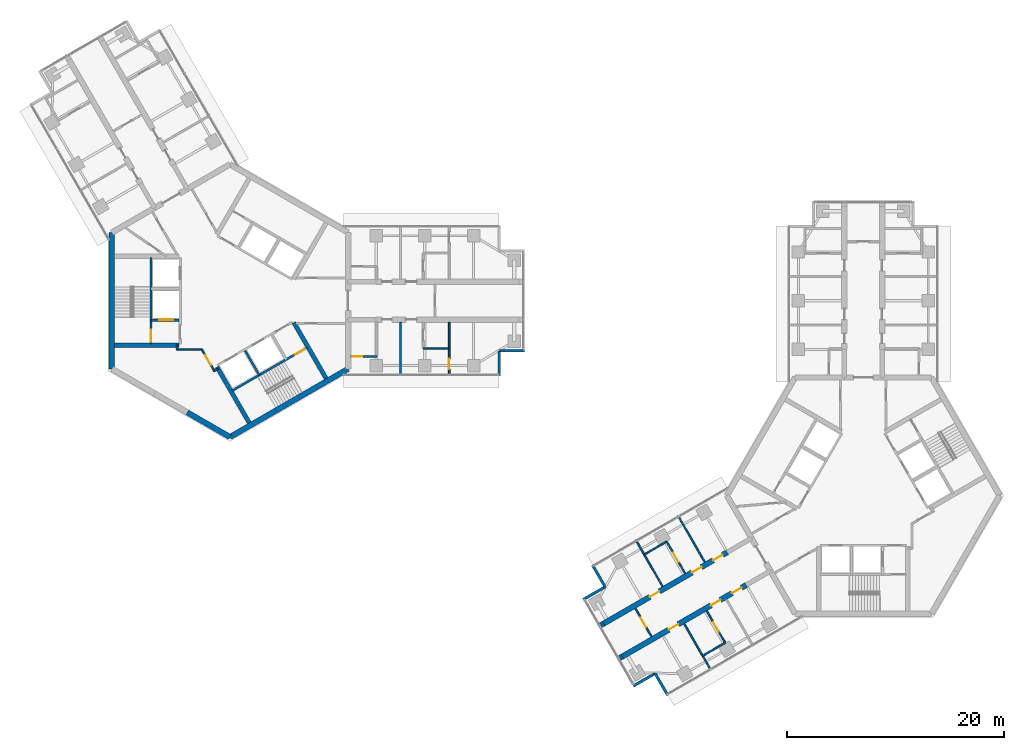
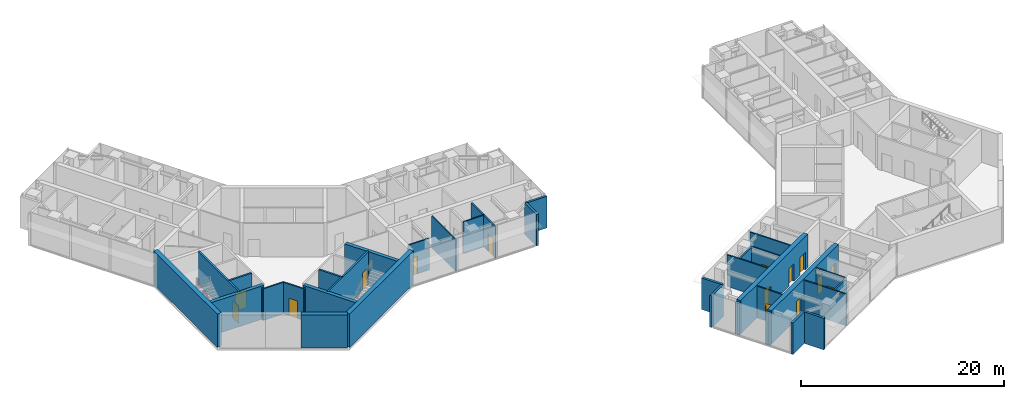
# One storey, part 11 of 17: 36 walls, 15 doors, 15 openings.
"""IFC4 building model written with IfcOpenShell, lengths in metres."""

from ifc_helpers import new_model, si_unit, direction, frame, frame_2d, origin, place, context, subcontext, project, spatial, rectangle, extrude, material, layer, layer_set, type_object, element, fill, save


model = new_model("IFC4")

# Units and contexts
model_context = context("Model", 3, precision=1e-05, world=origin(), true_north=direction((0.0, 1.0)))
body_context = subcontext(model_context, "Body", "Model", "MODEL_VIEW")
ifc_project = project(units=[si_unit("LENGTHUNIT", "METRE"), si_unit("AREAUNIT", "SQUARE_METRE"), si_unit("VOLUMEUNIT", "CUBIC_METRE"), si_unit("PLANEANGLEUNIT", "RADIAN"), si_unit("MASSUNIT", "GRAM", prefix="KILO")], contexts=[model_context])

# Site, building, storey
site_placement = place(None, origin())
site = spatial("IfcSite", under=ifc_project, at=site_placement, CompositionType="ELEMENT")
building_placement = place(site_placement, origin())
building = spatial("IfcBuilding", under=site, at=building_placement, Name="Upepo Twin Towers", CompositionType="ELEMENT")
storey_placement = place(building_placement, frame((0.0, 0.0, 210.5)))
storey = spatial("IfcBuildingStorey", under=building, at=storey_placement, Name="L51", CompositionType="ELEMENT", Elevation=210.5)

# Walls
ifc_material_1 = material(Name="Dense concrete blockwork", Category="masonry")
ifc_layer_1 = layer(ifc_material_1, 0.5)
ifc_layer_set_1 = layer_set([ifc_layer_1], Name="Buttress closer 500, blockwork with fire-stopping to the curtain wall")
wall_type_1 = type_object("IfcWallType", Name="Buttress closer 500, blockwork with fire-stopping to the curtain wall", PredefinedType="PARTITIONING", material=ifc_layer_set_1)
for number, where, z_axis, x_axis, name in (
    (1, (36.252197265625, -32.865478515625, 0.0), (0.0, 0.0, 1.0), (-0.86598763626, -0.500065409566, 0.0), "T2 L51 wing B buttress closer L"),
    (2, (34.502197265625, -29.83447265625, 0.0), (0.0, 0.0, 1.0), (-0.86598763626, -0.500065409566, 0.0), "T2 L51 wing B buttress closer R"),
):
    element("IfcWall", number, at=place(storey_placement, frame(where, z_axis=z_axis, x_axis=x_axis)), inside=storey, type_object=wall_type_1, Name=name, PredefinedType="PARTITIONING", context=body_context, shape_type="SweptSolid", body=[
        extrude(rectangle(XDim=0.28759765625, YDim=0.5, at=frame_2d((0.143798828125, 0.0))), origin(), (0.0, 0.0, 1.0), 3.800048828125),
    ])

# Wall, openings, doors
ifc_material_2 = material(Name="Concrete C60/75", Category="concrete")
ifc_layer_2 = layer(ifc_material_2, 0.5)
ifc_layer_set_2 = layer_set([ifc_layer_2], Name="Concrete C60/75")
wall_type_2 = type_object("IfcWallType", Name="Buttress wall 500 RC", PredefinedType="SHEAR", material=ifc_layer_set_2)
wall_1_placement = place(storey_placement, frame((47.68359375, -26.265625, 0.0), z_axis=(0.0, 0.0, 1.0), x_axis=(-0.866027579429, -0.499996231654, 0.0)))
wall_1 = element("IfcWall", 3, at=wall_1_placement, inside=storey, type_object=wall_type_2, Name="T2 wing B buttress wall L part 2", PredefinedType="SHEAR", context=body_context, shape_type="SweptSolid", body=[
    extrude(rectangle(XDim=13.19970703125, YDim=0.5, at=frame_2d((6.599853515625, 0.0))), origin(), (0.0, 0.0, 1.0), 4.0),
])
opening_1_placement = place(wall_1_placement, frame((0.5, 0.0, 0.0)))
opening_1 = element("IfcOpeningElement", 4, at=opening_1_placement, cuts=wall_1, Name="Opening D1", PredefinedType="OPENING", context=body_context, shape_type="SweptSolid", body=[
    extrude(rectangle(XDim=1.0, YDim=2.10009765625, at=frame_2d((0.5, 1.050048828125))), frame((0.0, 0.260009765625, 0.0), z_axis=(0.0, -1.0, 0.0), x_axis=(1.0, 0.0, 0.0)), (0.0, 0.0, 1.0), 0.52001953125),
])
opening_2_placement = place(wall_1_placement, frame((2.75, 0.0, 0.0)))
opening_2 = element("IfcOpeningElement", 5, at=opening_2_placement, cuts=wall_1, Name="Opening D1", PredefinedType="OPENING", context=body_context, shape_type="SweptSolid", body=[
    extrude(rectangle(XDim=1.0, YDim=2.10009765625, at=frame_2d((0.5, 1.050048828125))), frame((0.0, 0.260009765625, 0.0), z_axis=(0.0, -1.0, 0.0), x_axis=(1.0, 0.0, 0.0)), (0.0, 0.0, 1.0), 0.52001953125),
])
opening_3_placement = place(wall_1_placement, frame((7.25, 0.0, 0.0)))
opening_3 = element("IfcOpeningElement", 6, at=opening_3_placement, cuts=wall_1, Name="Opening D1", PredefinedType="OPENING", context=body_context, shape_type="SweptSolid", body=[
    extrude(rectangle(XDim=1.0, YDim=2.10009765625, at=frame_2d((0.5, 1.050048828125))), frame((0.0, 0.260009765625, 0.0), z_axis=(0.0, -1.0, 0.0), x_axis=(1.0, 0.0, 0.0)), (0.0, 0.0, 1.0), 0.52001953125),
])
ifc_material_3 = material(Name="Timber doorset", Category="wood")
door_type_1 = type_object("IfcDoorType", Name="Room door 1000 FD30", OperationType="SINGLE_SWING_LEFT", PredefinedType="DOOR", material=ifc_material_3)
door_1_placement = place(opening_1_placement, origin())
door_1 = element("IfcDoor", 7, at=door_1_placement, inside=storey, type_object=door_type_1, Name="T2 L51 tutorial room door", OperationType="SINGLE_SWING_LEFT", OverallHeight=2.10009765625, OverallWidth=1.0, PredefinedType="DOOR", context=body_context, shape_type="SweptSolid", body=[
    extrude(rectangle(XDim=1.0, YDim=2.10009765625, at=frame_2d((0.5, 1.050048828125))), frame((0.0, 0.02490234375, 0.0), z_axis=(0.0, -1.0, 0.0), x_axis=(1.0, 0.0, 0.0)), (0.0, 0.0, 1.0), 0.050048828125),
])
fill(opening_1, door_1)
door_2_placement = place(opening_2_placement, origin())
door_2 = element("IfcDoor", 8, at=door_2_placement, inside=storey, type_object=door_type_1, Name="T2 L51 staff office door", OperationType="SINGLE_SWING_LEFT", OverallHeight=2.10009765625, OverallWidth=1.0, PredefinedType="DOOR", context=body_context, shape_type="SweptSolid", body=[
    extrude(rectangle(XDim=1.0, YDim=2.10009765625, at=frame_2d((0.5, 1.050048828125))), frame((0.0, 0.02490234375, 0.0), z_axis=(0.0, -1.0, 0.0), x_axis=(1.0, 0.0, 0.0)), (0.0, 0.0, 1.0), 0.050048828125),
])
fill(opening_2, door_2)
door_3_placement = place(opening_3_placement, origin())
door_3 = element("IfcDoor", 9, at=door_3_placement, inside=storey, type_object=door_type_1, Name="T2 L51 seminar room door", OperationType="SINGLE_SWING_RIGHT", OverallHeight=2.10009765625, OverallWidth=1.0, PredefinedType="DOOR", context=body_context, shape_type="SweptSolid", body=[
    extrude(rectangle(XDim=1.0, YDim=2.10009765625, at=frame_2d((0.5, 1.050048828125))), frame((0.0, 0.02490234375, 0.0), z_axis=(0.0, -1.0, 0.0), x_axis=(1.0, 0.0, 0.0)), (0.0, 0.0, 1.0), 0.050048828125),
])
fill(opening_3, door_3)

wall_2_placement = place(storey_placement, frame((45.93359375, -23.234375, 0.0), z_axis=(0.0, 0.0, 1.0), x_axis=(-0.866019570528, -0.500010103361, 0.0)))
wall_2 = element("IfcWall", 10, at=wall_2_placement, inside=storey, type_object=wall_type_2, Name="T2 wing B buttress wall R part 2", PredefinedType="SHEAR", context=body_context, shape_type="SweptSolid", body=[
    extrude(rectangle(XDim=13.199951171875, YDim=0.5, at=frame_2d((6.60009765625, 0.0))), origin(), (0.0, 0.0, 1.0), 4.0),
])
opening_4_placement = place(wall_2_placement, frame((0.5, 0.0, 0.0)))
opening_4 = element("IfcOpeningElement", 11, at=opening_4_placement, cuts=wall_2, Name="Opening D1", PredefinedType="OPENING", context=body_context, shape_type="SweptSolid", body=[
    extrude(rectangle(XDim=1.0, YDim=2.10009765625, at=frame_2d((0.5, 1.050048828125))), frame((0.0, 0.260009765625, 0.0), z_axis=(0.0, -1.0, 0.0), x_axis=(1.0, 0.0, 0.0)), (0.0, 0.0, 1.0), 0.52001953125),
])
opening_5_placement = place(wall_2_placement, frame((2.75, 0.0, 0.0)))
opening_5 = element("IfcOpeningElement", 12, at=opening_5_placement, cuts=wall_2, Name="Opening D1", PredefinedType="OPENING", context=body_context, shape_type="SweptSolid", body=[
    extrude(rectangle(XDim=1.0, YDim=2.10009765625, at=frame_2d((0.5, 1.050048828125))), frame((0.0, 0.260009765625, 0.0), z_axis=(0.0, -1.0, 0.0), x_axis=(1.0, 0.0, 0.0)), (0.0, 0.0, 1.0), 0.52001953125),
])
opening_6_placement = place(wall_2_placement, frame((7.25, 0.0, 0.0)))
opening_6 = element("IfcOpeningElement", 13, at=opening_6_placement, cuts=wall_2, Name="Opening D1", PredefinedType="OPENING", context=body_context, shape_type="SweptSolid", body=[
    extrude(rectangle(XDim=1.0, YDim=2.10009765625, at=frame_2d((0.5, 1.050048828125))), frame((0.0, 0.260009765625, 0.0), z_axis=(0.0, -1.0, 0.0), x_axis=(1.0, 0.0, 0.0)), (0.0, 0.0, 1.0), 0.52001953125),
])
door_4_placement = place(opening_4_placement, origin())
door_4 = element("IfcDoor", 14, at=door_4_placement, inside=storey, type_object=door_type_1, Name="T2 L51 tutorial room door", OperationType="SINGLE_SWING_LEFT", OverallHeight=2.10009765625, OverallWidth=1.0, PredefinedType="DOOR", context=body_context, shape_type="SweptSolid", body=[
    extrude(rectangle(XDim=1.0, YDim=2.10009765625, at=frame_2d((0.5, 1.050048828125))), frame((0.0, 0.02490234375, 0.0), z_axis=(0.0, -1.0, 0.0), x_axis=(1.0, 0.0, 0.0)), (0.0, 0.0, 1.0), 0.050048828125),
])
fill(opening_4, door_4)
door_5_placement = place(opening_5_placement, origin())
door_5 = element("IfcDoor", 15, at=door_5_placement, inside=storey, type_object=door_type_1, Name="T2 L51 tutorial room door", OperationType="SINGLE_SWING_LEFT", OverallHeight=2.10009765625, OverallWidth=1.0, PredefinedType="DOOR", context=body_context, shape_type="SweptSolid", body=[
    extrude(rectangle(XDim=1.0, YDim=2.10009765625, at=frame_2d((0.5, 1.050048828125))), frame((0.0, 0.02490234375, 0.0), z_axis=(0.0, -1.0, 0.0), x_axis=(1.0, 0.0, 0.0)), (0.0, 0.0, 1.0), 0.050048828125),
])
fill(opening_5, door_5)
door_6_placement = place(opening_6_placement, origin())
door_6 = element("IfcDoor", 16, at=door_6_placement, inside=storey, type_object=door_type_1, Name="T2 L51 staff office door", OperationType="SINGLE_SWING_RIGHT", OverallHeight=2.10009765625, OverallWidth=1.0, PredefinedType="DOOR", context=body_context, shape_type="SweptSolid", body=[
    extrude(rectangle(XDim=1.0, YDim=2.10009765625, at=frame_2d((0.5, 1.050048828125))), frame((0.0, 0.02490234375, 0.0), z_axis=(0.0, -1.0, 0.0), x_axis=(1.0, 0.0, 0.0)), (0.0, 0.0, 1.0), 0.050048828125),
])
fill(opening_6, door_6)

# Walls
ifc_material_4 = material(Name="Concrete C60/75", Category="concrete")
ifc_layer_3 = layer(ifc_material_4, 0.5)
ifc_layer_set_3 = layer_set([ifc_layer_3], Name="Concrete C60/75")
wall_type_3 = type_object("IfcWallType", Name="Core wall 500 RC", PredefinedType="SHEAR", material=ifc_layer_set_3)
wall_3_placement = place(storey_placement, frame((-10.908447265625, 6.2978515625, 0.0), z_axis=(0.0, 0.0, 1.0), x_axis=(0.0, -1.0, 0.0)))
element("IfcWall", 17, at=wall_3_placement, inside=storey, type_object=wall_type_3, Name="T1 core wall 180", PredefinedType="SHEAR", context=body_context, shape_type="SweptSolid", body=[
    extrude(rectangle(XDim=12.595703125, YDim=0.5, at=frame_2d((6.2978515625, 0.0))), origin(), (0.0, 0.0, 1.0), 4.0),
])
wall_4_placement = place(storey_placement, frame((-3.938720703125, -10.32177734375, 0.0), z_axis=(0.0, 0.0, 1.0), x_axis=(0.866011268655, -0.500024481964, 0.0)))
element("IfcWall", 18, at=wall_4_placement, inside=storey, type_object=wall_type_3, Name="T1 core wall 240 L", PredefinedType="SHEAR", context=body_context, shape_type="SweptSolid", body=[
    extrude(rectangle(XDim=4.548095703125, YDim=0.5, at=frame_2d((2.27392578125, 0.0))), origin(), (0.0, 0.0, 1.0), 4.0),
])
wall_5_placement = place(storey_placement, frame((0.0, -12.595947265625, 0.0), z_axis=(0.0, 0.0, 1.0), x_axis=(0.866021940709, 0.500005998175, 0.0)))
element("IfcWall", 19, at=wall_5_placement, inside=storey, type_object=wall_type_3, Name="T1 core wall 300", PredefinedType="SHEAR", context=body_context, shape_type="SweptSolid", body=[
    extrude(rectangle(XDim=12.595947265625, YDim=0.5, at=frame_2d((6.2978515625, 0.0))), origin(), (0.0, 0.0, 1.0), 4.0),
])
ifc_material_5 = material(Name="Blockwork with anodised aluminium cladding", Category="masonry")
ifc_layer_4 = layer(ifc_material_5, 0.25)
ifc_layer_set_4 = layer_set([ifc_layer_4], Name="Notch cladding wall 250, pale metal")
wall_type_4 = type_object("IfcWallType", Name="Notch cladding wall 250, pale metal", PredefinedType="STANDARD", material=ifc_layer_set_4)
for number, where, z_axis, x_axis, name in (
    (20, (24.875, -6.949951171875, 0.0), (0.0, 0.0, 1.0), (0.0, 1.0, 0.0), "T1 L51 wing A notch wall R1"),
    (21, (24.875, -4.625, 0.0), (0.0, 0.0, 1.0), (1.0, 0.0, 0.0), "T1 L51 wing A notch wall R2"),
    (22, (40.4326171875, -36.456298828125, 0.0), (0.0, 0.0, 1.0), (-0.500046648681, 0.865998469481, 0.0), "T2 L51 wing B notch wall L1"),
    (23, (39.27001953125, -34.44287109375, 0.0), (0.0, 0.0, 1.0), (-0.865998469481, -0.500046648681, 0.0), "T2 L51 wing B notch wall L2"),
    (24, (33.482666015625, -24.418701171875, 0.0), (0.0, 0.0, 1.0), (0.499967891604, -0.866043940782, 0.0), "T2 L51 wing B notch wall R1"),
    (25, (34.64501953125, -26.43212890625, 0.0), (0.0, 0.0, 1.0), (-0.865998469481, -0.500046648681, 0.0), "T2 L51 wing B notch wall R2"),
):
    element("IfcWall", number, at=place(storey_placement, frame(where, z_axis=z_axis, x_axis=x_axis)), inside=storey, type_object=wall_type_4, Name=name, PredefinedType="STANDARD", context=body_context, shape_type="SweptSolid", body=[
        extrude(rectangle(XDim=2.324951171875, YDim=0.25, at=frame_2d((1.16259765625, 0.0))), origin(), (0.0, 0.0, 1.0), 3.800048828125),
    ])

# Wall, opening, door
ifc_material_6 = material(Name="Concrete C40/50", Category="concrete")
ifc_layer_5 = layer(ifc_material_6, 0.199951171875)
ifc_layer_set_5 = layer_set([ifc_layer_5], Name="Concrete C40/50")
wall_type_5 = type_object("IfcWallType", Name="Shaft wall 200 RC", PredefinedType="SHEAR", material=ifc_layer_set_5)
wall_6_placement = place(storey_placement, frame((-4.699951171875, -1.800048828125, 0.0), z_axis=(0.0, 0.0, 1.0), x_axis=(-1.0, 0.0, 0.0)))
wall_6 = element("IfcWall", 26, at=wall_6_placement, inside=storey, type_object=wall_type_5, Name="T1 core W180 lobby wall", PredefinedType="SHEAR", context=body_context, shape_type="SweptSolid", body=[
    extrude(rectangle(XDim=2.60009765625, YDim=0.199951171875, at=frame_2d((1.300048828125, 0.0))), origin(), (0.0, 0.0, 1.0), 4.0),
])
opening_7_placement = place(wall_6_placement, frame((0.550048828125, 0.0, 0.0)))
opening_7 = element("IfcOpeningElement", 27, at=opening_7_placement, cuts=wall_6, Name="Opening LD2", PredefinedType="OPENING", context=body_context, shape_type="SweptSolid", body=[
    extrude(rectangle(XDim=1.300048828125, YDim=2.199951171875, at=frame_2d((0.64990234375, 1.10009765625))), frame((0.0, 0.10986328125, 0.0), z_axis=(0.0, -1.0, 0.0), x_axis=(1.0, 0.0, 0.0)), (0.0, 0.0, 1.0), 0.219970703125),
])
ifc_material_7 = material(Name="Steel doorset", Category="steel")
door_type_2 = type_object("IfcDoorType", Name="Firefighting lift landing door 1300", OperationType="DOUBLE_DOOR_SLIDING", PredefinedType="DOOR", material=ifc_material_7)
door_7_placement = place(opening_7_placement, origin())
door_7 = element("IfcDoor", 28, at=door_7_placement, inside=storey, type_object=door_type_2, Name="T1 L51 firefighting lift landing door", OperationType="DOUBLE_DOOR_SLIDING", OverallHeight=2.199951171875, OverallWidth=1.300048828125, PredefinedType="DOOR", context=body_context, shape_type="SweptSolid", body=[
    extrude(rectangle(XDim=1.300048828125, YDim=2.199951171875, at=frame_2d((0.64990234375, 1.10009765625))), frame((0.0, 0.02490234375, 0.0), z_axis=(0.0, -1.0, 0.0), x_axis=(1.0, 0.0, 0.0)), (0.0, 0.0, 1.0), 0.050048828125),
])
fill(opening_7, door_7)

wall_7_placement = place(storey_placement, frame((-7.300048828125, 4.0, 0.0), z_axis=(0.0, 0.0, 1.0), x_axis=(0.0, -1.0, 0.0)))
wall_7 = element("IfcWall", 29, at=wall_7_placement, inside=storey, type_object=wall_type_5, Name="T1 core W180 stair wall", PredefinedType="SHEAR", context=body_context, shape_type="SweptSolid", body=[
    extrude(rectangle(XDim=8.0, YDim=0.199951171875, at=frame_2d((4.0, 0.0))), origin(), (0.0, 0.0, 1.0), 4.0),
])
opening_8_placement = place(wall_7_placement, frame((6.699951171875, 0.0, 0.0)))
opening_8 = element("IfcOpeningElement", 30, at=opening_8_placement, cuts=wall_7, Name="Opening D3", PredefinedType="OPENING", context=body_context, shape_type="SweptSolid", body=[
    extrude(rectangle(XDim=1.10009765625, YDim=2.10009765625, at=frame_2d((0.550048828125, 1.050048828125))), frame((0.0, 0.10986328125, 0.0), z_axis=(0.0, -1.0, 0.0), x_axis=(1.0, 0.0, 0.0)), (0.0, 0.0, 1.0), 0.219970703125),
])
ifc_material_8 = material(Name="Timber doorset", Category="wood")
door_type_3 = type_object("IfcDoorType", Name="Stair door 1100 FD60", OperationType="SINGLE_SWING_LEFT", PredefinedType="DOOR", material=ifc_material_8)
door_8_placement = place(opening_8_placement, origin())
door_8 = element("IfcDoor", 31, at=door_8_placement, inside=storey, type_object=door_type_3, Name="T1 L51 stair door", OperationType="SINGLE_SWING_RIGHT", OverallHeight=2.10009765625, OverallWidth=1.10009765625, PredefinedType="DOOR", context=body_context, shape_type="SweptSolid", body=[
    extrude(rectangle(XDim=1.10009765625, YDim=2.10009765625, at=frame_2d((0.550048828125, 1.050048828125))), frame((0.0, 0.02490234375, 0.0), z_axis=(0.0, -1.0, 0.0), x_axis=(1.0, 0.0, 0.0)), (0.0, 0.0, 1.0), 0.050048828125),
])
fill(opening_8, door_8)

# Wall
wall_8_placement = place(storey_placement, frame((1.3974609375, -4.620361328125, 0.0), z_axis=(0.0, 0.0, 1.0), x_axis=(0.499936506574, -0.866062058628, 0.0)))
element("IfcWall", 32, at=wall_8_placement, inside=storey, type_object=wall_type_5, Name="T1 core W300 shaft divider", PredefinedType="SHEAR", context=body_context, shape_type="SweptSolid", body=[
    extrude(rectangle(XDim=2.599853515625, YDim=0.199951171875, at=frame_2d((1.2998046875, 0.0))), origin(), (0.0, 0.0, 1.0), 4.0),
])

# Wall, opening, door
wall_9_placement = place(storey_placement, frame((0.185791015625, -8.322021484375, 0.0), z_axis=(0.0, 0.0, 1.0), x_axis=(0.866026010844, 0.49999894854, 0.0)))
wall_9 = element("IfcWall", 33, at=wall_9_placement, inside=storey, type_object=wall_type_5, Name="T1 core W300 stair wall", PredefinedType="SHEAR", context=body_context, shape_type="SweptSolid", body=[
    extrude(rectangle(XDim=8.0, YDim=0.199951171875, at=frame_2d((4.0, 0.0))), origin(), (0.0, 0.0, 1.0), 4.0),
])
opening_9_placement = place(wall_9_placement, frame((6.699951171875, 0.0, 0.0)))
opening_9 = element("IfcOpeningElement", 34, at=opening_9_placement, cuts=wall_9, Name="Opening D3", PredefinedType="OPENING", context=body_context, shape_type="SweptSolid", body=[
    extrude(rectangle(XDim=1.10009765625, YDim=2.10009765625, at=frame_2d((0.550048828125, 1.050048828125))), frame((0.0, 0.10986328125, 0.0), z_axis=(0.0, -1.0, 0.0), x_axis=(1.0, 0.0, 0.0)), (0.0, 0.0, 1.0), 0.219970703125),
])
door_9_placement = place(opening_9_placement, origin())
door_9 = element("IfcDoor", 35, at=door_9_placement, inside=storey, type_object=door_type_3, Name="T1 L51 stair door", OperationType="SINGLE_SWING_RIGHT", OverallHeight=2.10009765625, OverallWidth=1.10009765625, PredefinedType="DOOR", context=body_context, shape_type="SweptSolid", body=[
    extrude(rectangle(XDim=1.10009765625, YDim=2.10009765625, at=frame_2d((0.550048828125, 1.050048828125))), frame((0.0, 0.02490234375, 0.0), z_axis=(0.0, -1.0, 0.0), x_axis=(1.0, 0.0, 0.0)), (0.0, 0.0, 1.0), 0.050048828125),
])
fill(opening_9, door_9)

# Walls
ifc_material_9 = material(Name="Concrete C40/50", Category="concrete")
ifc_layer_6 = layer(ifc_material_9, 0.39990234375)
ifc_layer_set_6 = layer_set([ifc_layer_6], Name="Concrete C40/50")
wall_type_6 = type_object("IfcWallType", Name="Shaft wall 400 RC", PredefinedType="SHEAR", material=ifc_layer_set_6)
for number, where, z_axis, x_axis, name in (
    (36, (-4.699951171875, -4.10009765625, 0.0), (0.0, 0.0, 1.0), (-1.0, 0.0, 0.0), "T1 core W180 side wall N"),
    (37, (5.900634765625, -2.020263671875, 0.0), (0.0, 0.0, 1.0), (0.500003832394, -0.86602319114, 0.0), "T1 core W300 side wall N"),
):
    element("IfcWall", number, at=place(storey_placement, frame(where, z_axis=z_axis, x_axis=x_axis)), inside=storey, type_object=wall_type_6, Name=name, PredefinedType="SHEAR", context=body_context, shape_type="SweptSolid", body=[
        extrude(rectangle(XDim=5.95849609375, YDim=0.39990234375, at=frame_2d((2.979248046875, 0.0))), origin(), (0.0, 0.0, 1.0), 4.0),
    ])
wall_10_placement = place(storey_placement, frame((-1.20068359375, -6.120361328125, 0.0), z_axis=(0.0, 0.0, 1.0), x_axis=(0.500021575205, -0.866012946976, 0.0)))
element("IfcWall", 38, at=wall_10_placement, inside=storey, type_object=wall_type_6, Name="T1 core W300 side wall S", PredefinedType="SHEAR", context=body_context, shape_type="SweptSolid", body=[
    extrude(rectangle(XDim=5.958251953125, YDim=0.39990234375, at=frame_2d((2.97900390625, 0.0))), origin(), (0.0, 0.0, 1.0), 4.0),
])
ifc_material_10 = material(Name="Gypsum board on steel studs", Category="steel")
ifc_layer_7 = layer(ifc_material_10, 0.14990234375)
ifc_layer_set_7 = layer_set([ifc_layer_7], Name="Teaching partition 150 acoustic")
wall_type_7 = type_object("IfcWallType", Name="Teaching partition 150 acoustic", PredefinedType="PARTITIONING", material=ifc_layer_set_7)
wall_11_placement = place(storey_placement, frame((15.75, -2.0, 0.0), z_axis=(0.0, 0.0, 1.0), x_axis=(0.0, -1.0, 0.0)))
element("IfcWall", 39, at=wall_11_placement, inside=storey, type_object=wall_type_7, Name="T1 partition AR at 15.75", PredefinedType="PARTITIONING", context=body_context, shape_type="SweptSolid", body=[
    extrude(rectangle(XDim=4.75, YDim=0.14990234375, at=frame_2d((2.375, 0.0))), origin(), (0.0, 0.0, 1.0), 3.800048828125),
])

# Wall, opening, door
wall_12_placement = place(storey_placement, frame((20.25, -2.0, 0.0), z_axis=(0.0, 0.0, 1.0), x_axis=(0.0, -1.0, 0.0)))
wall_12 = element("IfcWall", 40, at=wall_12_placement, inside=storey, type_object=wall_type_7, Name="T1 partition AR at 20.25", PredefinedType="PARTITIONING", context=body_context, shape_type="SweptSolid", body=[
    extrude(rectangle(XDim=4.75, YDim=0.14990234375, at=frame_2d((2.375, 0.0))), origin(), (0.0, 0.0, 1.0), 3.800048828125),
])
opening_10_placement = place(wall_12_placement, frame((3.35009765625, 0.0, 0.0)))
opening_10 = element("IfcOpeningElement", 41, at=opening_10_placement, cuts=wall_12, Name="Opening D1", PredefinedType="OPENING", context=body_context, shape_type="SweptSolid", body=[
    extrude(rectangle(XDim=1.0, YDim=2.10009765625, at=frame_2d((0.5, 1.050048828125))), frame((0.0, 0.0849609375, 0.0), z_axis=(0.0, -1.0, 0.0), x_axis=(1.0, 0.0, 0.0)), (0.0, 0.0, 1.0), 0.169921875),
])
door_10_placement = place(opening_10_placement, origin())
door_10 = element("IfcDoor", 42, at=door_10_placement, inside=storey, type_object=door_type_1, Name="T1 L51 connecting door", OperationType="SINGLE_SWING_RIGHT", OverallHeight=2.10009765625, OverallWidth=1.0, PredefinedType="DOOR", context=body_context, shape_type="SweptSolid", body=[
    extrude(rectangle(XDim=1.0, YDim=2.10009765625, at=frame_2d((0.5, 1.050048828125))), frame((0.0, 0.02490234375, 0.0), z_axis=(0.0, -1.0, 0.0), x_axis=(1.0, 0.0, 0.0)), (0.0, 0.0, 1.0), 0.050048828125),
])
fill(opening_10, door_10)

# Wall
wall_13_placement = place(storey_placement, frame((17.85009765625, -4.39990234375, 0.0), z_axis=(0.0, 0.0, 1.0), x_axis=(1.0, 0.0, 0.0)))
element("IfcWall", 43, at=wall_13_placement, inside=storey, type_object=wall_type_7, Name="T1 inner room partition AR at 17.85", PredefinedType="PARTITIONING", context=body_context, shape_type="SweptSolid", body=[
    extrude(rectangle(XDim=2.39990234375, YDim=0.14990234375, at=frame_2d((1.199951171875, 0.0))), origin(), (0.0, 0.0, 1.0), 3.800048828125),
])

# Wall, opening, door
wall_14_placement = place(storey_placement, frame((11.157958984375, -5.14990234375, 0.0), z_axis=(0.0, 0.0, 1.0), x_axis=(1.0, 0.0, 0.0)))
wall_14 = element("IfcWall", 44, at=wall_14_placement, inside=storey, type_object=wall_type_7, Name="T1 WC bay partition AR at 11.16", PredefinedType="PARTITIONING", context=body_context, shape_type="SweptSolid", body=[
    extrude(rectangle(XDim=2.400146484375, YDim=0.14990234375, at=frame_2d((1.2001953125, 0.0))), origin(), (0.0, 0.0, 1.0), 3.800048828125),
])
opening_11_placement = place(wall_14_placement, frame((0.14990234375, 0.0, 0.0)))
opening_11 = element("IfcOpeningElement", 45, at=opening_11_placement, cuts=wall_14, Name="Opening D14", PredefinedType="OPENING", context=body_context, shape_type="SweptSolid", body=[
    extrude(rectangle(XDim=0.89990234375, YDim=2.10009765625, at=frame_2d((0.449951171875, 1.050048828125))), frame((0.0, 0.0849609375, 0.0), z_axis=(0.0, -1.0, 0.0), x_axis=(1.0, 0.0, 0.0)), (0.0, 0.0, 1.0), 0.169921875),
])
ifc_material_11 = material(Name="Timber doorset", Category="wood")
door_type_4 = type_object("IfcDoorType", Name="Office door 900 FD30", OperationType="SINGLE_SWING_LEFT", PredefinedType="DOOR", material=ifc_material_11)
door_11_placement = place(opening_11_placement, origin())
door_11 = element("IfcDoor", 46, at=door_11_placement, inside=storey, type_object=door_type_4, Name="T1 L51 WC bay inner room door", OperationType="SINGLE_SWING_LEFT", OverallHeight=2.10009765625, OverallWidth=0.89990234375, PredefinedType="DOOR", context=body_context, shape_type="SweptSolid", body=[
    extrude(rectangle(XDim=0.89990234375, YDim=2.10009765625, at=frame_2d((0.449951171875, 1.050048828125))), frame((0.0, 0.02490234375, 0.0), z_axis=(0.0, -1.0, 0.0), x_axis=(1.0, 0.0, 0.0)), (0.0, 0.0, 1.0), 0.050048828125),
])
fill(opening_11, door_11)

wall_15_placement = place(storey_placement, frame((-1.43701171875, -6.5107421875, 0.0), z_axis=(0.0, 0.0, 1.0), x_axis=(-0.500074377092, 0.865982457891, 0.0)))
wall_15 = element("IfcWall", 47, at=wall_15_placement, inside=storey, type_object=wall_type_7, Name="T1 core room partition 1", PredefinedType="PARTITIONING", context=body_context, shape_type="SweptSolid", body=[
    extrude(rectangle(XDim=2.342041015625, YDim=0.14990234375, at=frame_2d((1.1708984375, 0.0))), origin(), (0.0, 0.0, 1.0), 3.800048828125),
])
opening_12_placement = place(wall_15_placement, frame((0.6708984375, 0.0, 0.0)))
opening_12 = element("IfcOpeningElement", 48, at=opening_12_placement, cuts=wall_15, Name="Opening D1", PredefinedType="OPENING", context=body_context, shape_type="SweptSolid", body=[
    extrude(rectangle(XDim=1.0, YDim=2.10009765625, at=frame_2d((0.5, 1.050048828125))), frame((0.0, 0.0849609375, 0.0), z_axis=(0.0, -1.0, 0.0), x_axis=(1.0, 0.0, 0.0)), (0.0, 0.0, 1.0), 0.169921875),
])
door_12_placement = place(opening_12_placement, origin())
door_12 = element("IfcDoor", 49, at=door_12_placement, inside=storey, type_object=door_type_1, Name="T1 L51 core room door K1", OperationType="SINGLE_SWING_RIGHT", OverallHeight=2.10009765625, OverallWidth=1.0, PredefinedType="DOOR", context=body_context, shape_type="SweptSolid", body=[
    extrude(rectangle(XDim=1.0, YDim=2.10009765625, at=frame_2d((0.5, 1.050048828125))), frame((0.0, 0.02490234375, 0.0), z_axis=(0.0, -1.0, 0.0), x_axis=(1.0, 0.0, 0.0)), (0.0, 0.0, 1.0), 0.050048828125),
])
fill(opening_12, door_12)

# Walls
wall_16_placement = place(storey_placement, frame((-2.578125, -4.5, 0.0), z_axis=(0.0, 0.0, 1.0), x_axis=(-1.0, 0.0, 0.0)))
element("IfcWall", 50, at=wall_16_placement, inside=storey, type_object=wall_type_7, Name="T1 core room partition 2", PredefinedType="PARTITIONING", context=body_context, shape_type="SweptSolid", body=[
    extrude(rectangle(XDim=2.341796875, YDim=0.14990234375, at=frame_2d((1.1708984375, 0.0))), origin(), (0.0, 0.0, 1.0), 3.800048828125),
])
for number, where, z_axis, x_axis, name in (
    (51, (-4.89990234375, -4.52001953125, 0.0), (0.0, 0.0, 1.0), (0.0, 1.0, 0.0), "T1 core room partition 3"),
    (52, (-1.092041015625, -6.28857421875, 0.0), (0.0, 0.0, 1.0), (-0.866138304741, -0.499804398801, 0.0), "T1 core room partition 8"),
):
    element("IfcWall", number, at=place(storey_placement, frame(where, z_axis=z_axis, x_axis=x_axis)), inside=storey, type_object=wall_type_7, Name=name, PredefinedType="PARTITIONING", context=body_context, shape_type="SweptSolid", body=[
        extrude(rectangle(XDim=0.429931640625, YDim=0.14990234375, at=frame_2d((0.21484375, 0.0))), origin(), (0.0, 0.0, 1.0), 3.800048828125),
    ])
wall_17_placement = place(storey_placement, frame((41.962890625, -29.85693359375, 0.0), z_axis=(0.0, 0.0, 1.0), x_axis=(0.499986429846, -0.866033238375, 0.0)))
element("IfcWall", 53, at=wall_17_placement, inside=storey, type_object=wall_type_7, Name="T2 partition BL at 20.25", PredefinedType="PARTITIONING", context=body_context, shape_type="SweptSolid", body=[
    extrude(rectangle(XDim=4.750244140625, YDim=0.14990234375, at=frame_2d((2.375, 0.0))), origin(), (0.0, 0.0, 1.0), 3.800048828125),
])
wall_18_placement = place(storey_placement, frame((45.741455078125, -31.6015625, 0.0), z_axis=(0.0, 0.0, 1.0), x_axis=(-0.866024647952, -0.500001309137, 0.0)))
element("IfcWall", 54, at=wall_18_placement, inside=storey, type_object=wall_type_7, Name="T2 inner room partition BL at 17.85", PredefinedType="PARTITIONING", context=body_context, shape_type="SweptSolid", body=[
    extrude(rectangle(XDim=2.39990234375, YDim=0.14990234375, at=frame_2d((1.199951171875, 0.0))), origin(), (0.0, 0.0, 1.0), 3.800048828125),
])

# Wall, opening, door
wall_19_placement = place(storey_placement, frame((44.04150390625, -28.656982421875, 0.0), z_axis=(0.0, 0.0, 1.0), x_axis=(0.499977295307, -0.866038511948, 0.0)))
wall_19 = element("IfcWall", 55, at=wall_19_placement, inside=storey, type_object=wall_type_7, Name="T2 inner room partition BL end at 17.85", PredefinedType="PARTITIONING", context=body_context, shape_type="SweptSolid", body=[
    extrude(rectangle(XDim=3.400146484375, YDim=0.14990234375, at=frame_2d((1.7001953125, 0.0))), origin(), (0.0, 0.0, 1.0), 3.800048828125),
])
opening_13_placement = place(wall_19_placement, frame((1.199951171875, 0.0, 0.0)))
opening_13 = element("IfcOpeningElement", 56, at=opening_13_placement, cuts=wall_19, Name="Opening D1", PredefinedType="OPENING", context=body_context, shape_type="SweptSolid", body=[
    extrude(rectangle(XDim=1.0, YDim=2.10009765625, at=frame_2d((0.5, 1.050048828125))), frame((0.0, 0.0849609375, 0.0), z_axis=(0.0, -1.0, 0.0), x_axis=(1.0, 0.0, 0.0)), (0.0, 0.0, 1.0), 0.169921875),
])
door_13_placement = place(opening_13_placement, origin())
door_13 = element("IfcDoor", 57, at=door_13_placement, inside=storey, type_object=door_type_1, Name="T2 L51 inner room door", OperationType="SINGLE_SWING_LEFT", OverallHeight=2.10009765625, OverallWidth=1.0, PredefinedType="DOOR", context=body_context, shape_type="SweptSolid", body=[
    extrude(rectangle(XDim=1.0, YDim=2.10009765625, at=frame_2d((0.5, 1.050048828125))), frame((0.0, 0.02490234375, 0.0), z_axis=(0.0, -1.0, 0.0), x_axis=(1.0, 0.0, 0.0)), (0.0, 0.0, 1.0), 0.050048828125),
])
fill(opening_13, door_13)

# Walls
for number, where, z_axis, x_axis, name in (
    (58, (43.860107421875, -24.14306640625, 0.0), (0.0, 0.0, 1.0), (-0.499986429846, 0.866033238375, 0.0), "T2 partition BR at 15.75"),
    (59, (39.962890625, -26.39306640625, 0.0), (0.0, 0.0, 1.0), (-0.499986429846, 0.866033238375, 0.0), "T2 partition BR at 20.25"),
):
    element("IfcWall", number, at=place(storey_placement, frame(where, z_axis=z_axis, x_axis=x_axis)), inside=storey, type_object=wall_type_7, Name=name, PredefinedType="PARTITIONING", context=body_context, shape_type="SweptSolid", body=[
        extrude(rectangle(XDim=4.750244140625, YDim=0.14990234375, at=frame_2d((2.375, 0.0))), origin(), (0.0, 0.0, 1.0), 3.800048828125),
    ])
wall_20_placement = place(storey_placement, frame((40.341552734375, -22.24853515625, 0.0), z_axis=(0.0, 0.0, 1.0), x_axis=(-0.866050077142, -0.499957262057, 0.0)))
element("IfcWall", 60, at=wall_20_placement, inside=storey, type_object=wall_type_7, Name="T2 inner room partition BR at 17.85", PredefinedType="PARTITIONING", context=body_context, shape_type="SweptSolid", body=[
    extrude(rectangle(XDim=2.400146484375, YDim=0.14990234375, at=frame_2d((1.2001953125, 0.0))), origin(), (0.0, 0.0, 1.0), 3.800048828125),
])

# Wall, opening, door
wall_21_placement = place(storey_placement, frame((42.04150390625, -25.19287109375, 0.0), z_axis=(0.0, 0.0, 1.0), x_axis=(-0.500008388397, 0.866020560687, 0.0)))
wall_21 = element("IfcWall", 61, at=wall_21_placement, inside=storey, type_object=wall_type_7, Name="T2 inner room partition BR end at 17.85", PredefinedType="PARTITIONING", context=body_context, shape_type="SweptSolid", body=[
    extrude(rectangle(XDim=3.39990234375, YDim=0.14990234375, at=frame_2d((1.699951171875, 0.0))), origin(), (0.0, 0.0, 1.0), 3.800048828125),
])
opening_14_placement = place(wall_21_placement, frame((1.199951171875, 0.0, 0.0)))
opening_14 = element("IfcOpeningElement", 62, at=opening_14_placement, cuts=wall_21, Name="Opening D1", PredefinedType="OPENING", context=body_context, shape_type="SweptSolid", body=[
    extrude(rectangle(XDim=1.0, YDim=2.10009765625, at=frame_2d((0.5, 1.050048828125))), frame((0.0, 0.0849609375, 0.0), z_axis=(0.0, -1.0, 0.0), x_axis=(1.0, 0.0, 0.0)), (0.0, 0.0, 1.0), 0.169921875),
])
door_14_placement = place(opening_14_placement, origin())
door_14 = element("IfcDoor", 63, at=door_14_placement, inside=storey, type_object=door_type_1, Name="T2 L51 inner room door", OperationType="SINGLE_SWING_LEFT", OverallHeight=2.10009765625, OverallWidth=1.0, PredefinedType="DOOR", context=body_context, shape_type="SweptSolid", body=[
    extrude(rectangle(XDim=1.0, YDim=2.10009765625, at=frame_2d((0.5, 1.050048828125))), frame((0.0, 0.02490234375, 0.0), z_axis=(0.0, -1.0, 0.0), x_axis=(1.0, 0.0, 0.0)), (0.0, 0.0, 1.0), 0.050048828125),
])
fill(opening_14, door_14)

wall_22_placement = place(storey_placement, frame((37.441650390625, -28.426025390625, 0.0), z_axis=(0.0, 0.0, 1.0), x_axis=(0.50002537861, -0.866010750942, 0.0)))
wall_22 = element("IfcWall", 64, at=wall_22_placement, inside=storey, type_object=wall_type_7, Name="T2 corridor end partition B at 23.45", PredefinedType="PARTITIONING", context=body_context, shape_type="SweptSolid", body=[
    extrude(rectangle(XDim=2.999755859375, YDim=0.14990234375, at=frame_2d((1.5, 0.0))), origin(), (0.0, 0.0, 1.0), 3.800048828125),
])
opening_15_placement = place(wall_22_placement, frame((1.0, 0.0, 0.0)))
opening_15 = element("IfcOpeningElement", 65, at=opening_15_placement, cuts=wall_22, Name="Opening D1", PredefinedType="OPENING", context=body_context, shape_type="SweptSolid", body=[
    extrude(rectangle(XDim=1.0, YDim=2.10009765625, at=frame_2d((0.5, 1.050048828125))), frame((0.0, 0.0849609375, 0.0), z_axis=(0.0, -1.0, 0.0), x_axis=(1.0, 0.0, 0.0)), (0.0, 0.0, 1.0), 0.169921875),
])
door_15_placement = place(opening_15_placement, origin())
door_15 = element("IfcDoor", 66, at=door_15_placement, inside=storey, type_object=door_type_1, Name="T2 L51 breakout study room door", OperationType="SINGLE_SWING_RIGHT", OverallHeight=2.10009765625, OverallWidth=1.0, PredefinedType="DOOR", context=body_context, shape_type="SweptSolid", body=[
    extrude(rectangle(XDim=1.0, YDim=2.10009765625, at=frame_2d((0.5, 1.050048828125))), frame((0.0, 0.02490234375, 0.0), z_axis=(0.0, -1.0, 0.0), x_axis=(1.0, 0.0, 0.0)), (0.0, 0.0, 1.0), 0.050048828125),
])
fill(opening_15, door_15)

save(model, "model.ifc")
